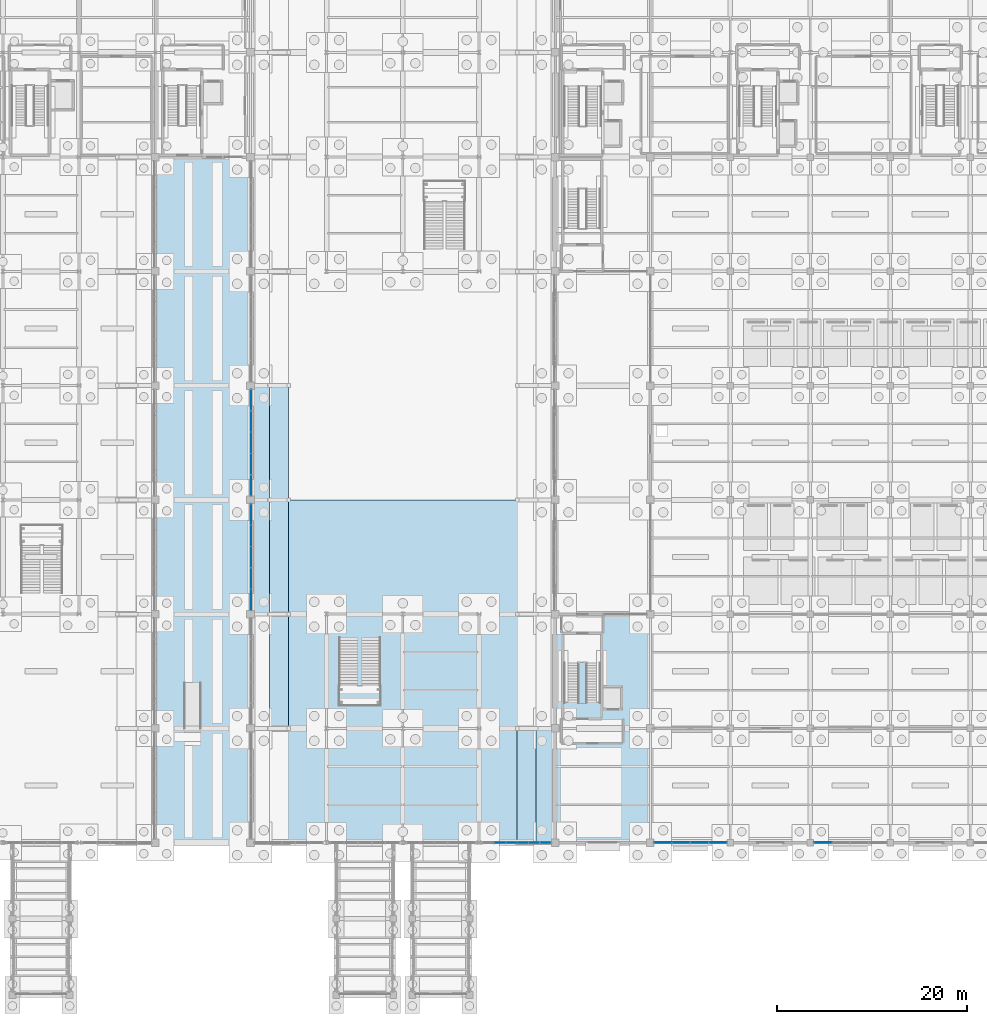
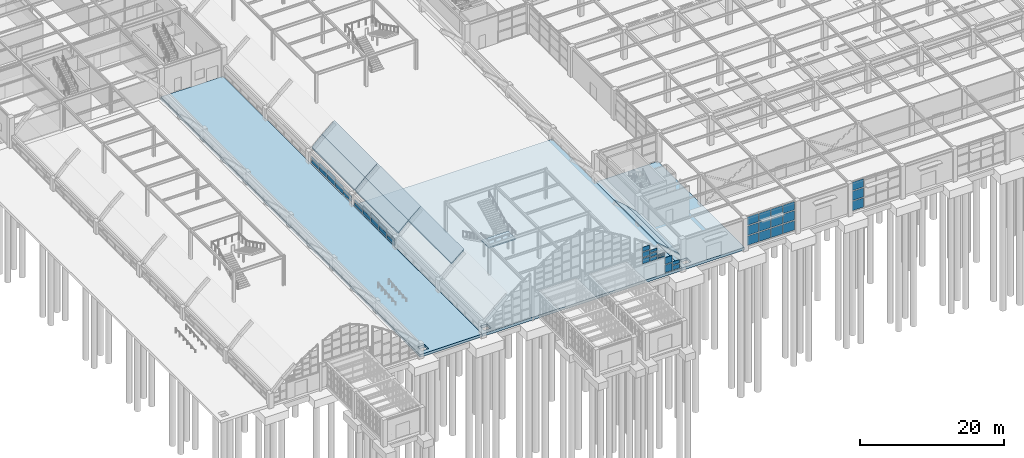
# One storey, part 85 of 129: 47 plates, 11 slabs, 7 elements without a shape of their own.
"""IFC4 building model written with IfcOpenShell, lengths in metres."""

from ifc_helpers import new_model, si_unit, direction, frame, origin, origin_2d, place, context, subcontext, project, spatial, polyline, rectangle, outline, extrude, material, layer, layer_set, type_object, element, aggregate, save


model = new_model("IFC4")

# Units and contexts
model_context = context("Model", 3, precision=1e-05, world=origin(), true_north=direction((0.0, 1.0)))
body_context = subcontext(model_context, "Body", "Model", "MODEL_VIEW")
ifc_project = project(units=[si_unit("LENGTHUNIT", "METRE"), si_unit("AREAUNIT", "SQUARE_METRE"), si_unit("VOLUMEUNIT", "CUBIC_METRE"), si_unit("PLANEANGLEUNIT", "RADIAN"), si_unit("MASSUNIT", "GRAM", prefix="KILO")], contexts=[model_context])

# Site, building, storey
site_placement = place(None, origin())
site = spatial("IfcSite", under=ifc_project, at=site_placement, CompositionType="ELEMENT")
building_placement = place(site_placement, origin())
building = spatial("IfcBuilding", under=site, at=building_placement, Name="Sitalva Quay Ferry Terminal", CompositionType="ELEMENT")
storey_placement = place(building_placement, origin())
storey = spatial("IfcBuildingStorey", under=building, at=storey_placement, Name="L01", CompositionType="ELEMENT", Elevation=0.0)

# Curtain wall, plates
ifc_material_1 = material(Name="Anodised Aluminium & Low-E Glazing", Category="aluminium")
ifc_layer_1 = layer(ifc_material_1, 0.159912109375)
ifc_layer_set_1 = layer_set([ifc_layer_1], Name="Anodised Aluminium & Low-E Glazing")
curtain_wall_type_1 = type_object("IfcCurtainWallType", Name="CW_VaultArch_Glazed", PredefinedType="USERDEFINED", material=ifc_layer_set_1)
curtain_wall_1_placement = place(storey_placement, origin())
curtain_wall_1 = element("IfcCurtainWall", 1, at=curtain_wall_1_placement, inside=storey, type_object=curtain_wall_type_1, Name="V1-W shallow-arch base glazing (CW-L01-020)", ObjectType="CURTAIN_WALL", PredefinedType="USERDEFINED")
ifc_material_2 = material(Name="Clear Low-Iron Arch Glazing", Category="glass")
ifc_layer_2 = layer(ifc_material_2, 0.02587890625)
ifc_layer_set_2 = layer_set([ifc_layer_2], Name="Clear Low-Iron Arch Glazing")
plate_type_1 = type_object("IfcPlateType", Name="Panel_Arch_IGU_26", PredefinedType="CURTAIN_PANEL", material=ifc_layer_set_2)
plate_1_placement = place(storey_placement, frame((42.080078125, 31.52001953125, 0.155029296875), z_axis=(0.0, 0.0, 1.0), x_axis=(0.0, 1.0, 0.0)))
plate_1 = element("IfcPlate", 2, at=plate_1_placement, type_object=plate_type_1, Name="CW-L01-020-P0-0", PredefinedType="CURTAIN_PANEL", context=body_context, shape_type="SweptSolid", body=[
    extrude(rectangle(XDim=2.169921875, YDim=0.02587890625, at=origin_2d()), origin(), (0.0, 0.0, 1.0), 0.544921875),
])
plate_2_placement = place(storey_placement, frame((42.080078125, 31.52001953125, 0.85498046875), z_axis=(0.0, 0.0, 1.0), x_axis=(0.0, 1.0, 0.0)))
plate_2 = element("IfcPlate", 3, at=plate_2_placement, type_object=plate_type_1, Name="CW-L01-020-P0-1", PredefinedType="CURTAIN_PANEL", context=body_context, shape_type="SweptSolid", body=[
    extrude(rectangle(XDim=2.169921875, YDim=0.02587890625, at=origin_2d()), origin(), (0.0, 0.0, 1.0), 0.389892578125),
])
plate_3_placement = place(storey_placement, frame((42.080078125, 33.760009765625, 0.1552734375), z_axis=(0.0, 0.0, 1.0), x_axis=(0.0, 1.0, 0.0)))
plate_3 = element("IfcPlate", 4, at=plate_3_placement, type_object=plate_type_1, Name="CW-L01-020-P1-0", PredefinedType="CURTAIN_PANEL", context=body_context, shape_type="SweptSolid", body=[
    extrude(rectangle(XDim=2.169921875, YDim=0.02587890625, at=origin_2d()), origin(), (0.0, 0.0, 1.0), 0.698486328125),
])
plate_4_placement = place(storey_placement, frame((42.080078125, 33.760009765625, 1.0087890625), z_axis=(0.0, 0.0, 1.0), x_axis=(0.0, 1.0, 0.0)))
plate_4 = element("IfcPlate", 5, at=plate_4_placement, type_object=plate_type_1, Name="CW-L01-020-P1-1", PredefinedType="CURTAIN_PANEL", context=body_context, shape_type="SweptSolid", body=[
    extrude(rectangle(XDim=2.169921875, YDim=0.02587890625, at=origin_2d()), origin(), (0.0, 0.0, 1.0), 0.543701171875),
])
plate_5_placement = place(storey_placement, frame((42.080078125, 36.0, 0.155029296875), z_axis=(0.0, 0.0, 1.0), x_axis=(0.0, 1.0, 0.0)))
plate_5 = element("IfcPlate", 6, at=plate_5_placement, type_object=plate_type_1, Name="CW-L01-020-P2-0", PredefinedType="CURTAIN_PANEL", context=body_context, shape_type="SweptSolid", body=[
    extrude(rectangle(XDim=2.169921875, YDim=0.02587890625, at=origin_2d()), origin(), (0.0, 0.0, 1.0), 0.775390625),
])
plate_6_placement = place(storey_placement, frame((42.080078125, 36.0, 1.08544921875), z_axis=(0.0, 0.0, 1.0), x_axis=(0.0, 1.0, 0.0)))
plate_6 = element("IfcPlate", 7, at=plate_6_placement, type_object=plate_type_1, Name="CW-L01-020-P2-1", PredefinedType="CURTAIN_PANEL", context=body_context, shape_type="SweptSolid", body=[
    extrude(rectangle(XDim=2.169921875, YDim=0.02587890625, at=origin_2d()), origin(), (0.0, 0.0, 1.0), 0.620361328125),
])
plate_7_placement = place(storey_placement, frame((42.080078125, 38.239990234375, 0.1552734375), z_axis=(0.0, 0.0, 1.0), x_axis=(0.0, 1.0, 0.0)))
plate_7 = element("IfcPlate", 8, at=plate_7_placement, type_object=plate_type_1, Name="CW-L01-020-P3-0", PredefinedType="CURTAIN_PANEL", context=body_context, shape_type="SweptSolid", body=[
    extrude(rectangle(XDim=2.169921875, YDim=0.02587890625, at=origin_2d()), origin(), (0.0, 0.0, 1.0), 0.698486328125),
])
plate_8_placement = place(storey_placement, frame((42.080078125, 38.239990234375, 1.0087890625), z_axis=(0.0, 0.0, 1.0), x_axis=(0.0, 1.0, 0.0)))
plate_8 = element("IfcPlate", 9, at=plate_8_placement, type_object=plate_type_1, Name="CW-L01-020-P3-1", PredefinedType="CURTAIN_PANEL", context=body_context, shape_type="SweptSolid", body=[
    extrude(rectangle(XDim=2.169921875, YDim=0.02587890625, at=origin_2d()), origin(), (0.0, 0.0, 1.0), 0.543701171875),
])
plate_9_placement = place(storey_placement, frame((42.080078125, 40.47998046875, 0.155029296875), z_axis=(0.0, 0.0, 1.0), x_axis=(0.0, 1.0, 0.0)))
plate_9 = element("IfcPlate", 10, at=plate_9_placement, type_object=plate_type_1, Name="CW-L01-020-P4-0", PredefinedType="CURTAIN_PANEL", context=body_context, shape_type="SweptSolid", body=[
    extrude(rectangle(XDim=2.169921875, YDim=0.02587890625, at=origin_2d()), origin(), (0.0, 0.0, 1.0), 0.544921875),
])
plate_10_placement = place(storey_placement, frame((42.080078125, 40.47998046875, 0.85498046875), z_axis=(0.0, 0.0, 1.0), x_axis=(0.0, 1.0, 0.0)))
plate_10 = element("IfcPlate", 11, at=plate_10_placement, type_object=plate_type_1, Name="CW-L01-020-P4-1", PredefinedType="CURTAIN_PANEL", context=body_context, shape_type="SweptSolid", body=[
    extrude(rectangle(XDim=2.169921875, YDim=0.02587890625, at=origin_2d()), origin(), (0.0, 0.0, 1.0), 0.389892578125),
])
aggregate(curtain_wall_1, [plate_1, plate_2, plate_3, plate_4, plate_5, plate_6, plate_7, plate_8, plate_9, plate_10])

curtain_wall_2_placement = place(storey_placement, origin())
curtain_wall_2 = element("IfcCurtainWall", 12, at=curtain_wall_2_placement, inside=storey, type_object=curtain_wall_type_1, Name="V1-W shallow-arch base glazing (CW-L01-023)", ObjectType="CURTAIN_WALL", PredefinedType="USERDEFINED")
plate_11_placement = place(storey_placement, frame((42.080078125, 43.52001953125, 0.155029296875), z_axis=(0.0, 0.0, 1.0), x_axis=(0.0, 1.0, 0.0)))
plate_11 = element("IfcPlate", 13, at=plate_11_placement, type_object=plate_type_1, Name="CW-L01-023-P0-0", PredefinedType="CURTAIN_PANEL", context=body_context, shape_type="SweptSolid", body=[
    extrude(rectangle(XDim=2.169921875, YDim=0.02587890625, at=origin_2d()), origin(), (0.0, 0.0, 1.0), 0.544921875),
])
plate_12_placement = place(storey_placement, frame((42.080078125, 43.52001953125, 0.85498046875), z_axis=(0.0, 0.0, 1.0), x_axis=(0.0, 1.0, 0.0)))
plate_12 = element("IfcPlate", 14, at=plate_12_placement, type_object=plate_type_1, Name="CW-L01-023-P0-1", PredefinedType="CURTAIN_PANEL", context=body_context, shape_type="SweptSolid", body=[
    extrude(rectangle(XDim=2.169921875, YDim=0.02587890625, at=origin_2d()), origin(), (0.0, 0.0, 1.0), 0.389892578125),
])
plate_13_placement = place(storey_placement, frame((42.080078125, 45.760009765625, 0.1552734375), z_axis=(0.0, 0.0, 1.0), x_axis=(0.0, 1.0, 0.0)))
plate_13 = element("IfcPlate", 15, at=plate_13_placement, type_object=plate_type_1, Name="CW-L01-023-P1-0", PredefinedType="CURTAIN_PANEL", context=body_context, shape_type="SweptSolid", body=[
    extrude(rectangle(XDim=2.169921875, YDim=0.02587890625, at=origin_2d()), origin(), (0.0, 0.0, 1.0), 0.698486328125),
])
plate_14_placement = place(storey_placement, frame((42.080078125, 45.760009765625, 1.0087890625), z_axis=(0.0, 0.0, 1.0), x_axis=(0.0, 1.0, 0.0)))
plate_14 = element("IfcPlate", 16, at=plate_14_placement, type_object=plate_type_1, Name="CW-L01-023-P1-1", PredefinedType="CURTAIN_PANEL", context=body_context, shape_type="SweptSolid", body=[
    extrude(rectangle(XDim=2.169921875, YDim=0.02587890625, at=origin_2d()), origin(), (0.0, 0.0, 1.0), 0.543701171875),
])
plate_15_placement = place(storey_placement, frame((42.080078125, 48.0, 0.155029296875), z_axis=(0.0, 0.0, 1.0), x_axis=(0.0, 1.0, 0.0)))
plate_15 = element("IfcPlate", 17, at=plate_15_placement, type_object=plate_type_1, Name="CW-L01-023-P2-0", PredefinedType="CURTAIN_PANEL", context=body_context, shape_type="SweptSolid", body=[
    extrude(rectangle(XDim=2.169921875, YDim=0.02587890625, at=origin_2d()), origin(), (0.0, 0.0, 1.0), 0.775390625),
])
plate_16_placement = place(storey_placement, frame((42.080078125, 48.0, 1.08544921875), z_axis=(0.0, 0.0, 1.0), x_axis=(0.0, 1.0, 0.0)))
plate_16 = element("IfcPlate", 18, at=plate_16_placement, type_object=plate_type_1, Name="CW-L01-023-P2-1", PredefinedType="CURTAIN_PANEL", context=body_context, shape_type="SweptSolid", body=[
    extrude(rectangle(XDim=2.169921875, YDim=0.02587890625, at=origin_2d()), origin(), (0.0, 0.0, 1.0), 0.620361328125),
])
plate_17_placement = place(storey_placement, frame((42.080078125, 50.239990234375, 0.1552734375), z_axis=(0.0, 0.0, 1.0), x_axis=(0.0, 1.0, 0.0)))
plate_17 = element("IfcPlate", 19, at=plate_17_placement, type_object=plate_type_1, Name="CW-L01-023-P3-0", PredefinedType="CURTAIN_PANEL", context=body_context, shape_type="SweptSolid", body=[
    extrude(rectangle(XDim=2.169921875, YDim=0.02587890625, at=origin_2d()), origin(), (0.0, 0.0, 1.0), 0.698486328125),
])
plate_18_placement = place(storey_placement, frame((42.080078125, 50.239990234375, 1.0087890625), z_axis=(0.0, 0.0, 1.0), x_axis=(0.0, 1.0, 0.0)))
plate_18 = element("IfcPlate", 20, at=plate_18_placement, type_object=plate_type_1, Name="CW-L01-023-P3-1", PredefinedType="CURTAIN_PANEL", context=body_context, shape_type="SweptSolid", body=[
    extrude(rectangle(XDim=2.169921875, YDim=0.02587890625, at=origin_2d()), origin(), (0.0, 0.0, 1.0), 0.543701171875),
])
plate_19_placement = place(storey_placement, frame((42.080078125, 52.47998046875, 0.155029296875), z_axis=(0.0, 0.0, 1.0), x_axis=(0.0, 1.0, 0.0)))
plate_19 = element("IfcPlate", 21, at=plate_19_placement, type_object=plate_type_1, Name="CW-L01-023-P4-0", PredefinedType="CURTAIN_PANEL", context=body_context, shape_type="SweptSolid", body=[
    extrude(rectangle(XDim=2.169921875, YDim=0.02587890625, at=origin_2d()), origin(), (0.0, 0.0, 1.0), 0.544921875),
])
plate_20_placement = place(storey_placement, frame((42.080078125, 52.47998046875, 0.85498046875), z_axis=(0.0, 0.0, 1.0), x_axis=(0.0, 1.0, 0.0)))
plate_20 = element("IfcPlate", 22, at=plate_20_placement, type_object=plate_type_1, Name="CW-L01-023-P4-1", PredefinedType="CURTAIN_PANEL", context=body_context, shape_type="SweptSolid", body=[
    extrude(rectangle(XDim=2.169921875, YDim=0.02587890625, at=origin_2d()), origin(), (0.0, 0.0, 1.0), 0.389892578125),
])
aggregate(curtain_wall_2, [plate_11, plate_12, plate_13, plate_14, plate_15, plate_16, plate_17, plate_18, plate_19, plate_20])

ifc_material_3 = material(Name="Anodised Aluminium & Low-E Glazing", Category="aluminium")
ifc_layer_3 = layer(ifc_material_3, 0.159912109375)
ifc_layer_set_3 = layer_set([ifc_layer_3], Name="Anodised Aluminium & Low-E Glazing")
curtain_wall_type_2 = type_object("IfcCurtainWallType", Name="CW_Gable_Unitised", PredefinedType="USERDEFINED", material=ifc_layer_set_3)
curtain_wall_3_placement = place(storey_placement, origin())
curtain_wall_3 = element("IfcCurtainWall", 23, at=curtain_wall_3_placement, inside=storey, type_object=curtain_wall_type_2, Name="V1 south gable east pointed glazing (CW-L01-008)", ObjectType="CURTAIN_WALL", PredefinedType="USERDEFINED")
ifc_material_4 = material(Name="Acoustic Laminated Marine Glazing", Category="glass")
ifc_layer_4 = layer(ifc_material_4, 0.033935546875)
ifc_layer_set_4 = layer_set([ifc_layer_4], Name="Acoustic Laminated Marine Glazing")
plate_type_2 = type_object("IfcPlateType", Name="Panel_Marine_IGU_34", PredefinedType="CURTAIN_PANEL", material=ifc_layer_set_4)
plate_21_placement = place(storey_placement, frame((68.199951171875, 6.0, 2.9150390625), z_axis=(0.0, 0.0, 1.0), x_axis=(1.0, 0.0, 0.0)))
plate_21 = element("IfcPlate", 24, at=plate_21_placement, type_object=plate_type_2, Name="CW-L01-008-P1-0", PredefinedType="CURTAIN_PANEL", context=body_context, shape_type="SweptSolid", body=[
    extrude(rectangle(XDim=1.110107421875, YDim=0.033935546875, at=origin_2d()), origin(), (0.0, 0.0, 1.0), 0.878662109375),
])
plate_22_placement = place(storey_placement, frame((68.199951171875, 6.0, 3.95849609375), z_axis=(0.0, 0.0, 1.0), x_axis=(1.0, 0.0, 0.0)))
plate_22 = element("IfcPlate", 25, at=plate_22_placement, type_object=plate_type_2, Name="CW-L01-008-P1-1", PredefinedType="CURTAIN_PANEL", context=body_context, shape_type="SweptSolid", body=[
    extrude(rectangle(XDim=1.110107421875, YDim=0.033935546875, at=origin_2d()), origin(), (0.0, 0.0, 1.0), 0.878662109375),
])
plate_23_placement = place(storey_placement, frame((68.199951171875, 6.0, 5.00244140625), z_axis=(0.0, 0.0, 1.0), x_axis=(1.0, 0.0, 0.0)))
plate_23 = element("IfcPlate", 26, at=plate_23_placement, type_object=plate_type_2, Name="CW-L01-008-P1-2", PredefinedType="CURTAIN_PANEL", context=body_context, shape_type="SweptSolid", body=[
    extrude(rectangle(XDim=1.110107421875, YDim=0.033935546875, at=origin_2d()), origin(), (0.0, 0.0, 1.0), 0.713623046875),
])
plate_24_placement = place(storey_placement, frame((69.39990234375, 6.0, 2.9150390625), z_axis=(0.0, 0.0, 1.0), x_axis=(1.0, 0.0, 0.0)))
plate_24 = element("IfcPlate", 27, at=plate_24_placement, type_object=plate_type_2, Name="CW-L01-008-P2-0", PredefinedType="CURTAIN_PANEL", context=body_context, shape_type="SweptSolid", body=[
    extrude(rectangle(XDim=1.110107421875, YDim=0.033935546875, at=origin_2d()), origin(), (0.0, 0.0, 1.0), 0.56982421875),
])
plate_25_placement = place(storey_placement, frame((69.39990234375, 6.0, 3.64990234375), z_axis=(0.0, 0.0, 1.0), x_axis=(1.0, 0.0, 0.0)))
plate_25 = element("IfcPlate", 28, at=plate_25_placement, type_object=plate_type_2, Name="CW-L01-008-P2-1", PredefinedType="CURTAIN_PANEL", context=body_context, shape_type="SweptSolid", body=[
    extrude(rectangle(XDim=1.110107421875, YDim=0.033935546875, at=origin_2d()), origin(), (0.0, 0.0, 1.0), 0.56982421875),
])
plate_26_placement = place(storey_placement, frame((69.39990234375, 6.0, 4.384765625), z_axis=(0.0, 0.0, 1.0), x_axis=(1.0, 0.0, 0.0)))
plate_26 = element("IfcPlate", 29, at=plate_26_placement, type_object=plate_type_2, Name="CW-L01-008-P2-2", PredefinedType="CURTAIN_PANEL", context=body_context, shape_type="SweptSolid", body=[
    extrude(rectangle(XDim=1.110107421875, YDim=0.033935546875, at=origin_2d()), origin(), (0.0, 0.0, 1.0), 0.405029296875),
])
plate_27_placement = place(storey_placement, frame((70.60009765625, 6.0, 2.9150390625), z_axis=(0.0, 0.0, 1.0), x_axis=(1.0, 0.0, 0.0)))
plate_27 = element("IfcPlate", 30, at=plate_27_placement, type_object=plate_type_2, Name="CW-L01-008-P3-0", PredefinedType="CURTAIN_PANEL", context=body_context, shape_type="SweptSolid", body=[
    extrude(rectangle(XDim=1.110107421875, YDim=0.033935546875, at=origin_2d()), origin(), (0.0, 0.0, 1.0), 0.228271484375),
])
plate_28_placement = place(storey_placement, frame((70.60009765625, 6.0, 3.30810546875), z_axis=(0.0, 0.0, 1.0), x_axis=(1.0, 0.0, 0.0)))
plate_28 = element("IfcPlate", 31, at=plate_28_placement, type_object=plate_type_2, Name="CW-L01-008-P3-1", PredefinedType="CURTAIN_PANEL", context=body_context, shape_type="SweptSolid", body=[
    extrude(rectangle(XDim=1.110107421875, YDim=0.033935546875, at=origin_2d()), origin(), (0.0, 0.0, 1.0), 0.228271484375),
])
aggregate(curtain_wall_3, [plate_21, plate_22, plate_23, plate_24, plate_25, plate_26, plate_27, plate_28])

curtain_wall_4_placement = place(storey_placement, origin())
curtain_wall_4 = element("IfcCurtainWall", 32, at=curtain_wall_4_placement, inside=storey, type_object=curtain_wall_type_2, Name="V1 south gable east eaves glazing (CW-L01-009)", ObjectType="CURTAIN_WALL", PredefinedType="USERDEFINED")
plate_29_placement = place(storey_placement, frame((71.800048828125, 6.0, 0.1650390625), z_axis=(0.0, 0.0, 1.0), x_axis=(1.0, 0.0, 0.0)))
plate_29 = element("IfcPlate", 33, at=plate_29_placement, type_object=plate_type_2, Name="CW-L01-009-P0-0", PredefinedType="CURTAIN_PANEL", context=body_context, shape_type="SweptSolid", body=[
    extrude(rectangle(XDim=1.110107421875, YDim=0.033935546875, at=origin_2d()), origin(), (0.0, 0.0, 1.0), 1.2685546875),
])
plate_30_placement = place(storey_placement, frame((71.800048828125, 6.0, 1.598388671875), z_axis=(0.0, 0.0, 1.0), x_axis=(1.0, 0.0, 0.0)))
plate_30 = element("IfcPlate", 34, at=plate_30_placement, type_object=plate_type_2, Name="CW-L01-009-P0-1", PredefinedType="CURTAIN_PANEL", context=body_context, shape_type="SweptSolid", body=[
    extrude(rectangle(XDim=1.110107421875, YDim=0.033935546875, at=origin_2d()), origin(), (0.0, 0.0, 1.0), 1.103515625),
])
plate_31_placement = place(storey_placement, frame((73.0, 6.0, 0.1650390625), z_axis=(0.0, 0.0, 1.0), x_axis=(1.0, 0.0, 0.0)))
plate_31 = element("IfcPlate", 35, at=plate_31_placement, type_object=plate_type_2, Name="CW-L01-009-P1-0", PredefinedType="CURTAIN_PANEL", context=body_context, shape_type="SweptSolid", body=[
    extrude(rectangle(XDim=1.110107421875, YDim=0.033935546875, at=origin_2d()), origin(), (0.0, 0.0, 1.0), 0.69970703125),
])
plate_32_placement = place(storey_placement, frame((73.0, 6.0, 1.029541015625), z_axis=(0.0, 0.0, 1.0), x_axis=(1.0, 0.0, 0.0)))
plate_32 = element("IfcPlate", 36, at=plate_32_placement, type_object=plate_type_2, Name="CW-L01-009-P1-1", PredefinedType="CURTAIN_PANEL", context=body_context, shape_type="SweptSolid", body=[
    extrude(rectangle(XDim=1.110107421875, YDim=0.033935546875, at=origin_2d()), origin(), (0.0, 0.0, 1.0), 0.53466796875),
])
aggregate(curtain_wall_4, [plate_29, plate_30, plate_31, plate_32])

ifc_material_5 = material(Name="Anodised Aluminium & Low-E Glazing", Category="aluminium")
ifc_layer_5 = layer(ifc_material_5, 0.159912109375)
ifc_layer_set_5 = layer_set([ifc_layer_5], Name="Anodised Aluminium & Low-E Glazing")
curtain_wall_type_3 = type_object("IfcCurtainWallType", Name="CW_Concourse_Unitised", PredefinedType="USERDEFINED", material=ifc_layer_set_5)
curtain_wall_5_placement = place(storey_placement, origin())
curtain_wall_5 = element("IfcCurtainWall", 37, at=curtain_wall_5_placement, inside=storey, type_object=curtain_wall_type_3, Name="South-east quay concourse curtain wall (CW-L01-058)", ObjectType="CURTAIN_WALL", PredefinedType="USERDEFINED")
plate_33_placement = place(storey_placement, frame((85.3125, 6.0, 1.856689453125), z_axis=(0.0, 0.0, 1.0), x_axis=(1.0, 0.0, 0.0)))
plate_33 = element("IfcPlate", 38, at=plate_33_placement, type_object=plate_type_2, Name="CW-L01-058-P0-1", PredefinedType="CURTAIN_PANEL", context=body_context, shape_type="SweptSolid", body=[
    extrude(rectangle(XDim=1.840087890625, YDim=0.033935546875, at=origin_2d()), origin(), (0.0, 0.0, 1.0), 1.556640625),
])
plate_34_placement = place(storey_placement, frame((85.3125, 6.0, 3.563232421875), z_axis=(0.0, 0.0, 1.0), x_axis=(1.0, 0.0, 0.0)))
plate_34 = element("IfcPlate", 39, at=plate_34_placement, type_object=plate_type_2, Name="CW-L01-058-P0-2", PredefinedType="CURTAIN_PANEL", context=body_context, shape_type="SweptSolid", body=[
    extrude(rectangle(XDim=1.840087890625, YDim=0.033935546875, at=origin_2d()), origin(), (0.0, 0.0, 1.0), 1.40673828125),
])
plate_35_placement = place(storey_placement, frame((87.237548828125, 6.0, 1.856689453125), z_axis=(0.0, 0.0, 1.0), x_axis=(1.0, 0.0, 0.0)))
plate_35 = element("IfcPlate", 40, at=plate_35_placement, type_object=plate_type_2, Name="CW-L01-058-P1-1", PredefinedType="CURTAIN_PANEL", context=body_context, shape_type="SweptSolid", body=[
    extrude(rectangle(XDim=1.840087890625, YDim=0.033935546875, at=origin_2d()), origin(), (0.0, 0.0, 1.0), 1.556640625),
])
plate_36_placement = place(storey_placement, frame((87.237548828125, 6.0, 3.563232421875), z_axis=(0.0, 0.0, 1.0), x_axis=(1.0, 0.0, 0.0)))
plate_36 = element("IfcPlate", 41, at=plate_36_placement, type_object=plate_type_2, Name="CW-L01-058-P1-2", PredefinedType="CURTAIN_PANEL", context=body_context, shape_type="SweptSolid", body=[
    extrude(rectangle(XDim=1.840087890625, YDim=0.033935546875, at=origin_2d()), origin(), (0.0, 0.0, 1.0), 1.40673828125),
])
plate_37_placement = place(storey_placement, frame((89.16259765625, 6.0, 1.856689453125), z_axis=(0.0, 0.0, 1.0), x_axis=(1.0, 0.0, 0.0)))
plate_37 = element("IfcPlate", 42, at=plate_37_placement, type_object=plate_type_2, Name="CW-L01-058-P2-1", PredefinedType="CURTAIN_PANEL", context=body_context, shape_type="SweptSolid", body=[
    extrude(rectangle(XDim=1.840087890625, YDim=0.033935546875, at=origin_2d()), origin(), (0.0, 0.0, 1.0), 1.556640625),
])
plate_38_placement = place(storey_placement, frame((89.16259765625, 6.0, 3.563232421875), z_axis=(0.0, 0.0, 1.0), x_axis=(1.0, 0.0, 0.0)))
plate_38 = element("IfcPlate", 43, at=plate_38_placement, type_object=plate_type_2, Name="CW-L01-058-P2-2", PredefinedType="CURTAIN_PANEL", context=body_context, shape_type="SweptSolid", body=[
    extrude(rectangle(XDim=1.840087890625, YDim=0.033935546875, at=origin_2d()), origin(), (0.0, 0.0, 1.0), 1.40673828125),
])
plate_39_placement = place(storey_placement, frame((91.08740234375, 6.0, 1.856689453125), z_axis=(0.0, 0.0, 1.0), x_axis=(1.0, 0.0, 0.0)))
plate_39 = element("IfcPlate", 44, at=plate_39_placement, type_object=plate_type_2, Name="CW-L01-058-P3-1", PredefinedType="CURTAIN_PANEL", context=body_context, shape_type="SweptSolid", body=[
    extrude(rectangle(XDim=1.840087890625, YDim=0.033935546875, at=origin_2d()), origin(), (0.0, 0.0, 1.0), 1.556640625),
])
plate_40_placement = place(storey_placement, frame((91.08740234375, 6.0, 3.563232421875), z_axis=(0.0, 0.0, 1.0), x_axis=(1.0, 0.0, 0.0)))
plate_40 = element("IfcPlate", 45, at=plate_40_placement, type_object=plate_type_2, Name="CW-L01-058-P3-2", PredefinedType="CURTAIN_PANEL", context=body_context, shape_type="SweptSolid", body=[
    extrude(rectangle(XDim=1.840087890625, YDim=0.033935546875, at=origin_2d()), origin(), (0.0, 0.0, 1.0), 1.40673828125),
])

curtain_wall_6_placement = place(storey_placement, origin())
curtain_wall_6 = element("IfcCurtainWall", 46, at=curtain_wall_6_placement, inside=storey, type_object=curtain_wall_type_3, Name="South-east quay concourse curtain wall (CW-L01-061)", ObjectType="CURTAIN_WALL", PredefinedType="USERDEFINED")
plate_41_placement = place(storey_placement, frame((102.112548828125, 6.0, 1.856689453125), z_axis=(0.0, 0.0, 1.0), x_axis=(1.0, 0.0, 0.0)))
plate_41 = element("IfcPlate", 47, at=plate_41_placement, type_object=plate_type_2, Name="CW-L01-061-P0-1", PredefinedType="CURTAIN_PANEL", context=body_context, shape_type="SweptSolid", body=[
    extrude(rectangle(XDim=1.840087890625, YDim=0.033935546875, at=origin_2d()), origin(), (0.0, 0.0, 1.0), 1.556640625),
])
plate_42_placement = place(storey_placement, frame((102.112548828125, 6.0, 3.563232421875), z_axis=(0.0, 0.0, 1.0), x_axis=(1.0, 0.0, 0.0)))
plate_42 = element("IfcPlate", 48, at=plate_42_placement, type_object=plate_type_2, Name="CW-L01-061-P0-2", PredefinedType="CURTAIN_PANEL", context=body_context, shape_type="SweptSolid", body=[
    extrude(rectangle(XDim=1.840087890625, YDim=0.033935546875, at=origin_2d()), origin(), (0.0, 0.0, 1.0), 1.40673828125),
])

# Plate
ifc_material_6 = material(Name="Insulated Spandrel Cassette", Category="aluminium")
ifc_layer_6 = layer(ifc_material_6, 0.0400390625)
ifc_layer_set_6 = layer_set([ifc_layer_6], Name="Insulated Spandrel Cassette")
plate_type_3 = type_object("IfcPlateType", Name="Panel_Spandrel_Alu_40", PredefinedType="CURTAIN_PANEL", material=ifc_layer_set_6)
plate_43_placement = place(storey_placement, frame((85.3125, 6.0, 0.14990234375), z_axis=(0.0, 0.0, 1.0), x_axis=(1.0, 0.0, 0.0)))
plate_43 = element("IfcPlate", 49, at=plate_43_placement, type_object=plate_type_3, Name="CW-L01-058-P0-0", PredefinedType="CURTAIN_PANEL", context=body_context, shape_type="SweptSolid", body=[
    extrude(rectangle(XDim=1.840087890625, YDim=0.0400390625, at=origin_2d()), origin(), (0.0, 0.0, 1.0), 1.556640625),
])

plate_44_placement = place(storey_placement, frame((87.237548828125, 6.0, 0.14990234375), z_axis=(0.0, 0.0, 1.0), x_axis=(1.0, 0.0, 0.0)))
plate_44 = element("IfcPlate", 50, at=plate_44_placement, type_object=plate_type_3, Name="CW-L01-058-P1-0", PredefinedType="CURTAIN_PANEL", context=body_context, shape_type="SweptSolid", body=[
    extrude(rectangle(XDim=1.840087890625, YDim=0.0400390625, at=origin_2d()), origin(), (0.0, 0.0, 1.0), 1.556640625),
])

plate_45_placement = place(storey_placement, frame((89.16259765625, 6.0, 0.14990234375), z_axis=(0.0, 0.0, 1.0), x_axis=(1.0, 0.0, 0.0)))
plate_45 = element("IfcPlate", 51, at=plate_45_placement, type_object=plate_type_3, Name="CW-L01-058-P2-0", PredefinedType="CURTAIN_PANEL", context=body_context, shape_type="SweptSolid", body=[
    extrude(rectangle(XDim=1.840087890625, YDim=0.0400390625, at=origin_2d()), origin(), (0.0, 0.0, 1.0), 1.556640625),
])

plate_46_placement = place(storey_placement, frame((91.08740234375, 6.0, 0.14990234375), z_axis=(0.0, 0.0, 1.0), x_axis=(1.0, 0.0, 0.0)))
plate_46 = element("IfcPlate", 52, at=plate_46_placement, type_object=plate_type_3, Name="CW-L01-058-P3-0", PredefinedType="CURTAIN_PANEL", context=body_context, shape_type="SweptSolid", body=[
    extrude(rectangle(XDim=1.840087890625, YDim=0.0400390625, at=origin_2d()), origin(), (0.0, 0.0, 1.0), 1.556640625),
])

aggregate(curtain_wall_5, [plate_43, plate_33, plate_34, plate_44, plate_35, plate_36, plate_45, plate_37, plate_38, plate_46, plate_39, plate_40])

plate_47_placement = place(storey_placement, frame((102.112548828125, 6.0, 0.14990234375), z_axis=(0.0, 0.0, 1.0), x_axis=(1.0, 0.0, 0.0)))
plate_47 = element("IfcPlate", 53, at=plate_47_placement, type_object=plate_type_3, Name="CW-L01-061-P0-0", PredefinedType="CURTAIN_PANEL", context=body_context, shape_type="SweptSolid", body=[
    extrude(rectangle(XDim=1.840087890625, YDim=0.0400390625, at=origin_2d()), origin(), (0.0, 0.0, 1.0), 1.556640625),
])

aggregate(curtain_wall_6, [plate_47, plate_41, plate_42])

# Slabs
ifc_material_7 = material(Name="Concrete C40/50", Category="concrete")
ifc_layer_7 = layer(ifc_material_7, 0.159912109375)
ifc_layer_set_7 = layer_set([ifc_layer_7], Name="Concrete C40/50")
slab_type_1 = type_object("IfcSlabType", Name="Slab_PointedVaultShell_160", PredefinedType="ROOF", material=ifc_layer_set_7)
slab_1_placement = place(storey_placement, frame((70.0, 6.0, 5.704833984375), z_axis=(0.649521624646, 0.0, 0.760343119334), x_axis=(0.760343119334, 0.0, -0.649521624646)))
element("IfcSlab", 54, at=slab_1_placement, inside=storey, type_object=slab_type_1, Name="Vault V1 pointed shell facet B1-F15", PredefinedType="ROOF", context=body_context, shape_type="SweptSolid", body=[
    extrude(outline(polyline([(0.0, 0.0), (2.630391397180087, 0.0), (2.630391397180087, 12.0), (0.0, 12.0), (0.0, 0.0)])), origin(), (0.649521624646, 0.0, -0.760343119334), 0.21044921875),
])
slab_2_placement = place(storey_placement, frame((72.0, 6.0, 3.996337890625), z_axis=(0.688047902254, 0.0, 0.725665270082), x_axis=(0.725665270082, 0.0, -0.688047902254)))
element("IfcSlab", 55, at=slab_2_placement, inside=storey, type_object=slab_type_1, Name="Vault V1 pointed shell facet B1-F16", PredefinedType="ROOF", context=body_context, shape_type="SweptSolid", body=[
    extrude(outline(polyline([(0.0, 0.0), (2.2325957356566075, 0.0), (2.2325957356566075, 12.0), (0.0, 12.0), (0.0, 0.0)])), origin(), (0.688047902254, 0.0, -0.725665270082), 0.220458984375),
])
slab_3_placement = place(storey_placement, frame((44.0, 18.0, 3.996337890625), z_axis=(-0.649521624646, 0.0, 0.760343119334), x_axis=(0.760343119334, 0.0, 0.649521624646)))
element("IfcSlab", 56, at=slab_3_placement, inside=storey, type_object=slab_type_1, Name="Vault V1 pointed shell facet B2-F2", PredefinedType="ROOF", context=body_context, shape_type="SweptSolid", body=[
    extrude(outline(polyline([(0.0, 0.0), (2.630391397180087, 0.0), (2.630391397180087, 12.0), (0.0, 12.0), (0.0, 0.0)])), origin(), (-0.649521624646, 0.0, -0.760343119334), 0.21044921875),
])
slab_4_placement = place(storey_placement, frame((42.3798828125, 30.0, 2.460205078125), z_axis=(-0.688047902254, 0.0, 0.725665270082), x_axis=(0.725665270082, 0.0, 0.688047902254)))
element("IfcSlab", 57, at=slab_4_placement, inside=storey, type_object=slab_type_1, Name="Vault V1 pointed shell facet B3-F1", PredefinedType="ROOF", context=body_context, shape_type="SweptSolid", body=[
    extrude(outline(polyline([(0.0, 0.0), (2.2325957356566075, 0.0), (2.2325957356566075, 12.0), (0.0, 12.0), (0.0, 0.0)])), origin(), (-0.688047902254, 0.0, -0.725665270082), 0.220458984375),
])
slab_5_placement = place(storey_placement, frame((44.0, 30.0, 3.996337890625), z_axis=(-0.649521624646, 0.0, 0.760343119334), x_axis=(0.760343119334, 0.0, 0.649521624646)))
element("IfcSlab", 58, at=slab_5_placement, inside=storey, type_object=slab_type_1, Name="Vault V1 pointed shell facet B3-F2", PredefinedType="ROOF", context=body_context, shape_type="SweptSolid", body=[
    extrude(outline(polyline([(0.0, 0.0), (2.630391397180087, 0.0), (2.630391397180087, 12.0), (0.0, 12.0), (0.0, 0.0)])), origin(), (-0.649521624646, 0.0, -0.760343119334), 0.21044921875),
])
slab_6_placement = place(storey_placement, frame((42.3798828125, 42.0, 2.460205078125), z_axis=(-0.688047902254, 0.0, 0.725665270082), x_axis=(0.725665270082, 0.0, 0.688047902254)))
element("IfcSlab", 59, at=slab_6_placement, inside=storey, type_object=slab_type_1, Name="Vault V1 pointed shell facet B4-F1", PredefinedType="ROOF", context=body_context, shape_type="SweptSolid", body=[
    extrude(outline(polyline([(0.0, 0.0), (2.2325957356566075, 0.0), (2.2325957356566075, 12.0), (0.0, 12.0), (0.0, 0.0)])), origin(), (-0.688047902254, 0.0, -0.725665270082), 0.220458984375),
])
slab_7_placement = place(storey_placement, frame((44.0, 42.0, 3.996337890625), z_axis=(-0.649521624646, 0.0, 0.760343119334), x_axis=(0.760343119334, 0.0, 0.649521624646)))
element("IfcSlab", 60, at=slab_7_placement, inside=storey, type_object=slab_type_1, Name="Vault V1 pointed shell facet B4-F2", PredefinedType="ROOF", context=body_context, shape_type="SweptSolid", body=[
    extrude(outline(polyline([(0.0, 0.0), (2.630391397180087, 0.0), (2.630391397180087, 12.0), (0.0, 12.0), (0.0, 0.0)])), origin(), (-0.649521624646, 0.0, -0.760343119334), 0.21044921875),
])
ifc_material_8 = material(Name="Concrete C35/45", Category="concrete")
ifc_layer_8 = layer(ifc_material_8, 0.449951171875)
ifc_layer_set_8 = layer_set([ifc_layer_8], Name="Concrete C35/45")
slab_type_2 = type_object("IfcSlabType", Name="Slab_QuayBase_450", PredefinedType="BASESLAB", material=ifc_layer_set_8)
slab_8_placement = place(storey_placement, frame((0.0, 0.0, -0.449951171875)))
element("IfcSlab", 61, at=slab_8_placement, inside=storey, type_object=slab_type_2, Name="L01 Central monsoon garden court base 008", PredefinedType="BASESLAB", context=body_context, shape_type="SweptSolid", body=[
    extrude(outline(polyline([(32.0, 6.0), (42.0, 6.0), (42.0, 78.0), (32.0, 78.0), (32.0, 6.0)]), holes=[polyline([(32.64990234375, 6.64990234375), (32.64990234375, 7.800048828125), (33.800048828125, 7.800048828125), (33.800048828125, 6.64990234375), (32.64990234375, 6.64990234375)])]), origin(), (0.0, 0.0, 1.0), 0.449951171875),
])
slab_9_placement = place(storey_placement, frame((0.0, 0.0, -0.449951171875)))
element("IfcSlab", 62, at=slab_9_placement, inside=storey, type_object=slab_type_2, Name="L01 Departure hall south base 012", PredefinedType="BASESLAB", context=body_context, shape_type="SweptSolid", body=[
    extrude(outline(polyline([(42.0, 6.0), (74.0, 6.0), (74.0, 42.0), (42.0, 42.0), (42.0, 6.0)]), holes=[polyline([(42.64990234375, 6.64990234375), (42.64990234375, 7.800048828125), (43.800048828125, 7.800048828125), (43.800048828125, 6.64990234375), (42.64990234375, 6.64990234375)])]), origin(), (0.0, 0.0, 1.0), 0.449951171875),
])
slab_10_placement = place(storey_placement, frame((0.0, 0.0, -0.449951171875)))
element("IfcSlab", 63, at=slab_10_placement, inside=storey, type_object=slab_type_2, Name="L01 South promenade prow base 015", PredefinedType="BASESLAB", context=body_context, shape_type="SweptSolid", body=[
    extrude(outline(polyline([(74.0, 6.0), (84.0, 6.0), (84.0, 30.0), (74.0, 30.0), (74.0, 6.0)]), holes=[polyline([(74.64990234375, 6.64990234375), (74.64990234375, 7.800048828125), (75.800048828125, 7.800048828125), (75.800048828125, 6.64990234375), (74.64990234375, 6.64990234375)])]), origin(), (0.0, 0.0, 1.0), 0.449951171875),
])

# Stair, slab
ifc_material_9 = material(Name="Concrete C35/45", Category="concrete")
stair_type = type_object("IfcStairType", Name="Stair_ConcourseFeature_2000", PredefinedType="HALF_TURN_STAIR", material=ifc_material_9)
stair_placement = place(storey_placement, origin())
stair = element("IfcStair", 64, at=stair_placement, inside=storey, type_object=stair_type, Name="Grand concourse feature stair ST-11", PredefinedType="HALF_TURN_STAIR")
ifc_material_10 = material(Name="Concrete C35/45", Category="concrete")
ifc_layer_9 = layer(ifc_material_10, 0.199951171875)
ifc_layer_set_9 = layer_set([ifc_layer_9], Name="Concrete C35/45")
slab_type_3 = type_object("IfcSlabType", Name="Slab_StairLanding_200", PredefinedType="LANDING", material=ifc_layer_set_9)
slab_11_placement = place(storey_placement, frame((0.0, 0.0, 2.5)))
slab_11 = element("IfcSlab", 65, at=slab_11_placement, type_object=slab_type_3, Name="ST-11 landing 1", PredefinedType="LANDING", context=body_context, shape_type="SweptSolid", body=[
    extrude(outline(polyline([(51.300048828125, 20.389892578125), (55.64990234375, 20.389892578125), (55.64990234375, 22.43994140625), (51.300048828125, 22.43994140625), (51.300048828125, 20.389892578125)])), origin(), (0.0, 0.0, 1.0), 0.199951171875),
])
aggregate(stair, [slab_11])

save(model, "model.ifc")
